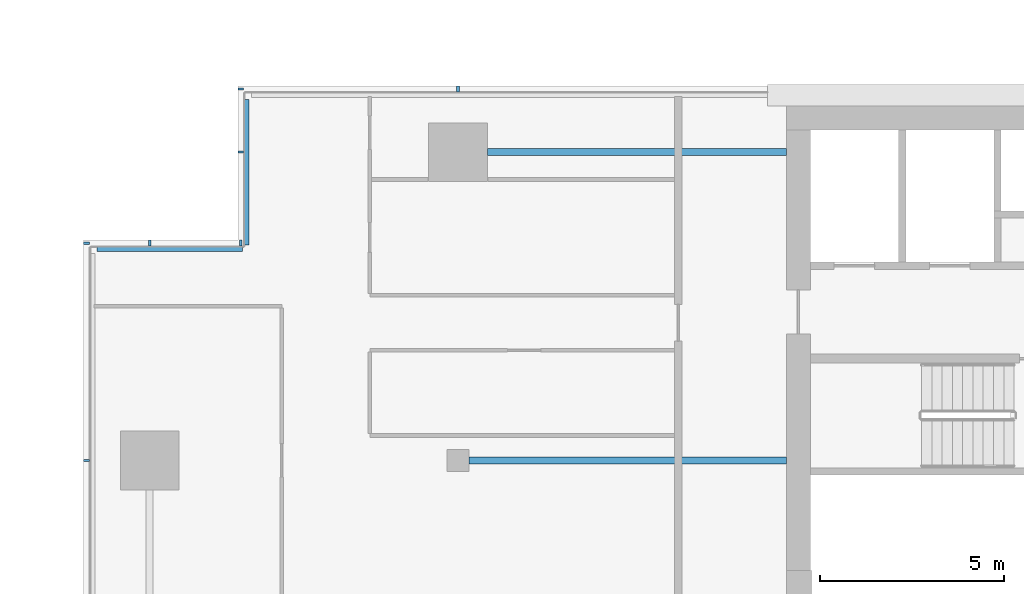
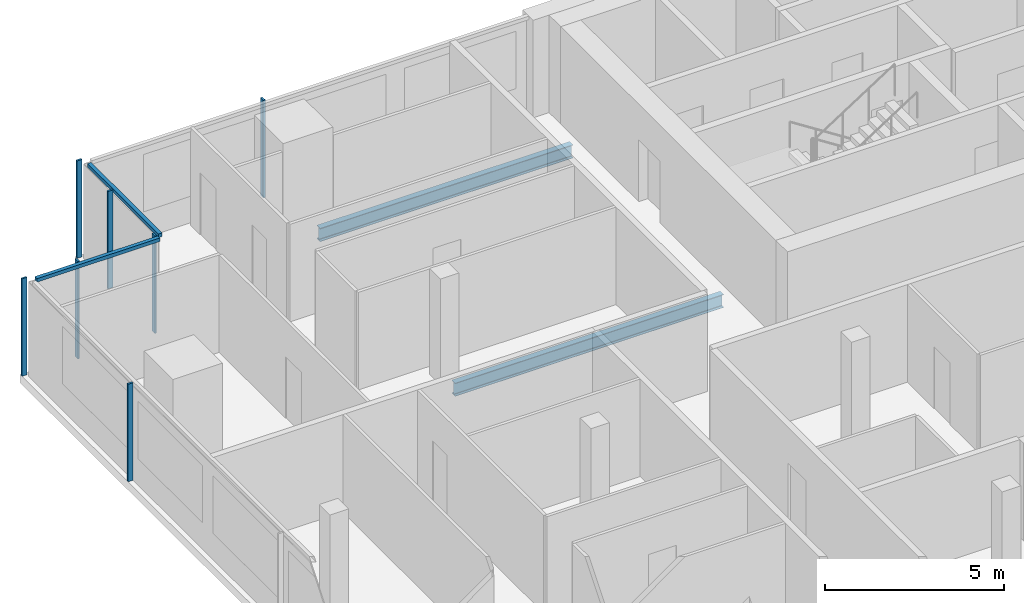
# One storey, part 8 of 26: 9 members, 2 beams, 4 elements without a shape of their own.
"""IFC4 building model written with IfcOpenShell, lengths in metres."""

from ifc_helpers import new_model, si_unit, direction, frame, origin, origin_2d, place, context, subcontext, project, spatial, rectangle, i_section, extrude, material, material_profile, profile_set, type_object, element, aggregate, save


model = new_model("IFC4")

# Units and contexts
model_context = context("Model", 3, precision=1e-05, world=origin(), true_north=direction((0.0, 1.0)))
body_context = subcontext(model_context, "Body", "Model", "MODEL_VIEW")
ifc_project = project(units=[si_unit("LENGTHUNIT", "METRE"), si_unit("AREAUNIT", "SQUARE_METRE"), si_unit("VOLUMEUNIT", "CUBIC_METRE"), si_unit("PLANEANGLEUNIT", "RADIAN"), si_unit("MASSUNIT", "GRAM", prefix="KILO")], contexts=[model_context])

# Site, building, storey
site_placement = place(None, origin())
site = spatial("IfcSite", under=ifc_project, at=site_placement, CompositionType="ELEMENT")
building_placement = place(site_placement, origin())
building = spatial("IfcBuilding", under=site, at=building_placement, Name="Saffron Gate Tower", CompositionType="ELEMENT")
storey_placement = place(building_placement, frame((0.0, 0.0, 230.699951171875)))
storey = spatial("IfcBuildingStorey", under=building, at=storey_placement, Name="L56", CompositionType="ELEMENT", Elevation=230.699951171875)

# Beams
ifc_material_1 = material(Name="Structural steel S355", Category="steel")
ifc_material_profile_1 = material_profile(ifc_material_1, i_section(OverallWidth=0.18994140625, OverallDepth=0.449951171875, WebThickness=0.009521484375, FlangeThickness=0.0146484375, FilletRadius=0.02099609375, at=origin_2d()))
ifc_profile_set_1 = profile_set([ifc_material_profile_1], Name="Structural steel S355")
beam_type = type_object("IfcBeamType", Name="B6 IPE 450", PredefinedType="BEAM", material=ifc_profile_set_1)
beam_1_placement = place(storey_placement, frame((58.5, 65.39990234375, -0.5048828125), z_axis=(1.0, 0.0, 0.0), x_axis=(0.0, 1.0, 0.0)))
element("IfcBeam", 1, at=beam_1_placement, inside=storey, type_object=beam_type, Name="B6 CORE TIE BEAM", PredefinedType="BEAM", context=body_context, shape_type="SweptSolid", body=[
    extrude(i_section(OverallWidth=0.18994140625, OverallDepth=0.449951171875, WebThickness=0.009521484375, FlangeThickness=0.0146484375, FilletRadius=0.02099609375, at=origin_2d()), origin(), (0.0, 0.0, 1.0), 8.64990234375),
])
beam_2_placement = place(storey_placement, frame((59.0, 73.800048828125, -0.5048828125), z_axis=(1.0, 0.0, 0.0), x_axis=(0.0, 1.0, 0.0)))
element("IfcBeam", 2, at=beam_2_placement, inside=storey, type_object=beam_type, Name="B6 CORE TIE BEAM", PredefinedType="BEAM", context=body_context, shape_type="SweptSolid", body=[
    extrude(i_section(OverallWidth=0.18994140625, OverallDepth=0.449951171875, WebThickness=0.009521484375, FlangeThickness=0.0146484375, FilletRadius=0.02099609375, at=origin_2d()), origin(), (0.0, 0.0, 1.0), 8.14990234375),
])

# Curtain wall, members
ifc_material_2 = material(Name="Aluminium, bronze anodised", Category="aluminium")
curtain_wall_type_1 = type_object("IfcCurtainWallType", Name="CWS2 curtain wall side facades", PredefinedType="NOTDEFINED", material=ifc_material_2)
curtain_wall_1_placement = place(storey_placement, origin())
curtain_wall_1 = element("IfcCurtainWall", 3, at=curtain_wall_1_placement, inside=storey, type_object=curtain_wall_type_1, Name="CWS2 run 10", PredefinedType="NOTDEFINED")
ifc_material_profile_2 = material_profile(ifc_material_2, rectangle(XDim=0.159912109375, YDim=0.06005859375, at=origin_2d()))
ifc_profile_set_2 = profile_set([ifc_material_profile_2], Name="Aluminium, bronze anodised")
member_type_1 = type_object("IfcMemberType", Name="CWS2 mullion 60x160", PredefinedType="MULLION", material=ifc_profile_set_2)
member_1_placement = place(storey_placement, frame((48.080078125, 71.320068359375, 0.0), z_axis=(0.0, 0.0, 1.0), x_axis=(1.0, 0.0, 0.0)))
member_1 = element("IfcMember", 4, at=member_1_placement, type_object=member_type_1, Name="CWS2 mullion 1", PredefinedType="MULLION", context=body_context, shape_type="SweptSolid", body=[
    extrude(rectangle(XDim=0.159912109375, YDim=0.06005859375, at=origin_2d()), origin(), (0.0, 0.0, 1.0), 3.320068359375),
])
member_2_placement = place(storey_placement, frame((48.080078125, 65.39990234375, 0.0), z_axis=(0.0, 0.0, 1.0), x_axis=(1.0, 0.0, 0.0)))
member_2 = element("IfcMember", 5, at=member_2_placement, type_object=member_type_1, Name="CWS2 mullion 2", PredefinedType="MULLION", context=body_context, shape_type="SweptSolid", body=[
    extrude(rectangle(XDim=0.159912109375, YDim=0.06005859375, at=origin_2d()), origin(), (0.0, 0.0, 1.0), 3.320068359375),
])
aggregate(curtain_wall_1, [member_1, member_2])

# Curtain wall, member
curtain_wall_type_2 = type_object("IfcCurtainWallType", Name="CWS3 curtain wall rear facade", PredefinedType="NOTDEFINED", material=ifc_material_2)
curtain_wall_2_placement = place(storey_placement, origin())
curtain_wall_2 = element("IfcCurtainWall", 6, at=curtain_wall_2_placement, inside=storey, type_object=curtain_wall_type_2, Name="CWS3 run 7", PredefinedType="NOTDEFINED")
ifc_material_profile_3 = material_profile(ifc_material_2, rectangle(XDim=0.159912109375, YDim=0.070068359375, at=origin_2d()))
ifc_profile_set_3 = profile_set([ifc_material_profile_3], Name="Aluminium, bronze anodised")
member_type_2 = type_object("IfcMemberType", Name="CWS3 mullion 70x160", PredefinedType="MULLION", material=ifc_profile_set_3)
member_3_placement = place(storey_placement, frame((58.199951171875, 75.52001953125, 0.0), z_axis=(0.0, 0.0, 1.0), x_axis=(0.0, -1.0, 0.0)))
member_3 = element("IfcMember", 7, at=member_3_placement, type_object=member_type_2, Name="CWS3 mullion 9", PredefinedType="MULLION", context=body_context, shape_type="SweptSolid", body=[
    extrude(rectangle(XDim=0.159912109375, YDim=0.070068359375, at=origin_2d()), origin(), (0.0, 0.0, 1.0), 3.320068359375),
])
aggregate(curtain_wall_2, [member_3])

curtain_wall_type_3 = type_object("IfcCurtainWallType", Name="CWS4 curtain wall corner returns", PredefinedType="NOTDEFINED", material=ifc_material_2)
curtain_wall_3_placement = place(storey_placement, origin())
curtain_wall_3 = element("IfcCurtainWall", 8, at=curtain_wall_3_placement, inside=storey, type_object=curtain_wall_type_3, Name="CWS4 run 8", PredefinedType="NOTDEFINED")
ifc_material_profile_4 = material_profile(ifc_material_2, rectangle(XDim=0.1201171875, YDim=0.1201171875, at=origin_2d()))
ifc_profile_set_4 = profile_set([ifc_material_profile_4], Name="Aluminium, bronze anodised")
member_type_3 = type_object("IfcMemberType", Name="CWS4 head transom", PredefinedType="USERDEFINED", material=ifc_profile_set_4)
member_4_placement = place(storey_placement, frame((52.447998046875, 75.23193359375, 3.260009765625), z_axis=(0.0, -1.0, 0.0), x_axis=(1.0, 0.0, 0.0)))
member_4 = element("IfcMember", 9, at=member_4_placement, type_object=member_type_3, Name="CWS4 head transom", ObjectType="TRANSOM", PredefinedType="USERDEFINED", context=body_context, shape_type="SweptSolid", body=[
    extrude(rectangle(XDim=0.1201171875, YDim=0.1201171875, at=origin_2d()), origin(), (0.0, 0.0, 1.0), 3.9599609375),
])

curtain_wall_4_placement = place(storey_placement, origin())
curtain_wall_4 = element("IfcCurtainWall", 10, at=curtain_wall_4_placement, inside=storey, type_object=curtain_wall_type_3, Name="CWS4 run 9", PredefinedType="NOTDEFINED")
member_5_placement = place(storey_placement, frame((52.327880859375, 71.152099609375, 3.260009765625), z_axis=(-1.0, 0.0, 0.0), x_axis=(0.0, -1.0, 0.0)))
member_5 = element("IfcMember", 11, at=member_5_placement, type_object=member_type_3, Name="CWS4 head transom", ObjectType="TRANSOM", PredefinedType="USERDEFINED", context=body_context, shape_type="SweptSolid", body=[
    extrude(rectangle(XDim=0.1201171875, YDim=0.1201171875, at=origin_2d()), origin(), (0.0, 0.0, 1.0), 3.9599609375),
])

# Member
ifc_material_profile_5 = material_profile(ifc_material_2, rectangle(XDim=0.159912109375, YDim=0.06005859375, at=origin_2d()))
ifc_profile_set_5 = profile_set([ifc_material_profile_5], Name="Aluminium, bronze anodised")
member_type_4 = type_object("IfcMemberType", Name="CWS4 mullion 60x160", PredefinedType="MULLION", material=ifc_profile_set_5)
member_6_placement = place(storey_placement, frame((52.280029296875, 75.52001953125, 0.0), z_axis=(0.0, 0.0, 1.0), x_axis=(1.0, 0.0, 0.0)))
member_6 = element("IfcMember", 12, at=member_6_placement, type_object=member_type_4, Name="CWS4 mullion 1", PredefinedType="MULLION", context=body_context, shape_type="SweptSolid", body=[
    extrude(rectangle(XDim=0.159912109375, YDim=0.06005859375, at=origin_2d()), origin(), (0.0, 0.0, 1.0), 3.320068359375),
])

member_7_placement = place(storey_placement, frame((52.280029296875, 73.800048828125, 0.0), z_axis=(0.0, 0.0, 1.0), x_axis=(1.0, 0.0, 0.0)))
member_7 = element("IfcMember", 13, at=member_7_placement, type_object=member_type_4, Name="CWS4 mullion 2", PredefinedType="MULLION", context=body_context, shape_type="SweptSolid", body=[
    extrude(rectangle(XDim=0.159912109375, YDim=0.06005859375, at=origin_2d()), origin(), (0.0, 0.0, 1.0), 3.320068359375),
])

aggregate(curtain_wall_3, [member_6, member_7, member_4])

member_8_placement = place(storey_placement, frame((52.280029296875, 71.320068359375, 0.0), z_axis=(0.0, 0.0, 1.0), x_axis=(0.0, -1.0, 0.0)))
member_8 = element("IfcMember", 14, at=member_8_placement, type_object=member_type_4, Name="CWS4 mullion 1", PredefinedType="MULLION", context=body_context, shape_type="SweptSolid", body=[
    extrude(rectangle(XDim=0.159912109375, YDim=0.06005859375, at=origin_2d()), origin(), (0.0, 0.0, 1.0), 3.320068359375),
])

member_9_placement = place(storey_placement, frame((49.800048828125, 71.320068359375, 0.0), z_axis=(0.0, 0.0, 1.0), x_axis=(0.0, -1.0, 0.0)))
member_9 = element("IfcMember", 15, at=member_9_placement, type_object=member_type_4, Name="CWS4 mullion 2", PredefinedType="MULLION", context=body_context, shape_type="SweptSolid", body=[
    extrude(rectangle(XDim=0.159912109375, YDim=0.06005859375, at=origin_2d()), origin(), (0.0, 0.0, 1.0), 3.320068359375),
])

aggregate(curtain_wall_4, [member_8, member_9, member_5])

save(model, "model.ifc")
